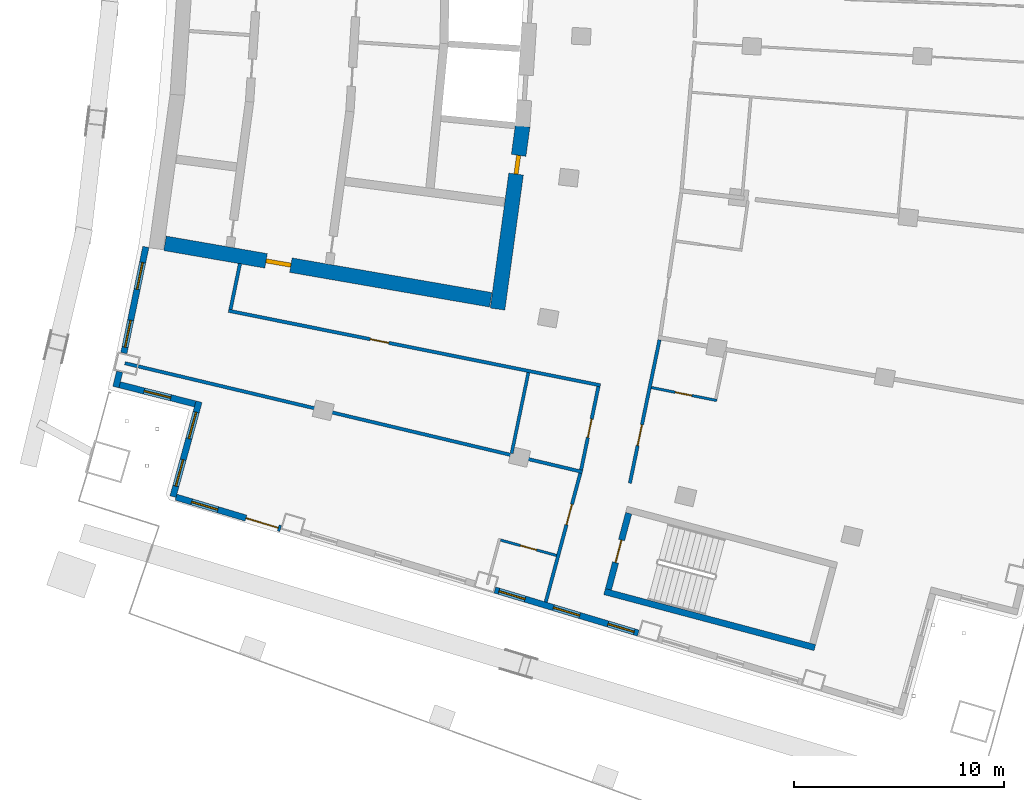
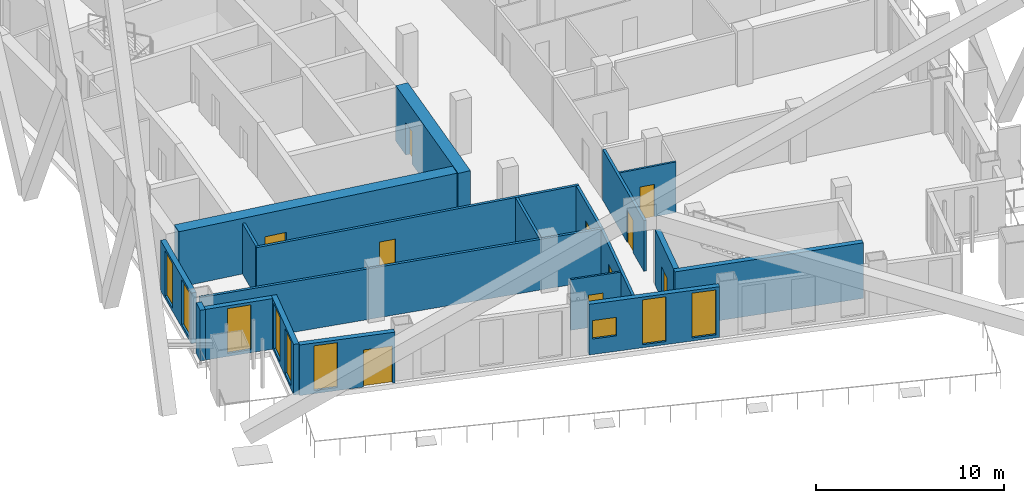
# One storey, part 10 of 20: 19 walls, 10 doors, 9 windows, 19 openings.
"""IFC4 building model written with IfcOpenShell, lengths in metres."""

from ifc_helpers import new_model, si_unit, direction, frame, frame_2d, origin, place, context, subcontext, project, spatial, rectangle, extrude, material, layer, layer_set, type_object, element, fill, save


model = new_model("IFC4")

# Units and contexts
model_context = context("Model", 3, precision=1e-05, world=origin(), true_north=direction((0.0, 1.0)))
body_context = subcontext(model_context, "Body", "Model", "MODEL_VIEW")
ifc_project = project(units=[si_unit("LENGTHUNIT", "METRE"), si_unit("AREAUNIT", "SQUARE_METRE"), si_unit("VOLUMEUNIT", "CUBIC_METRE"), si_unit("PLANEANGLEUNIT", "RADIAN"), si_unit("MASSUNIT", "GRAM", prefix="KILO")], contexts=[model_context])

# Site, building, storey
site_placement = place(None, origin())
site = spatial("IfcSite", under=ifc_project, at=site_placement, CompositionType="ELEMENT")
building_placement = place(site_placement, origin())
building = spatial("IfcBuilding", under=site, at=building_placement, Name="Alderwake Tower", CompositionType="ELEMENT")
storey_placement = place(building_placement, frame((0.0, 0.0, 138.800048828125)))
storey = spatial("IfcBuildingStorey", under=building, at=storey_placement, Name="L33", CompositionType="ELEMENT", Elevation=138.800048828125)

# Wall, opening, door
ifc_material_1 = material(Name="Concrete C70/85", Category="concrete")
ifc_layer_1 = layer(ifc_material_1, 0.699951171875)
ifc_layer_set_1 = layer_set([ifc_layer_1], Name="Core wall outer 700 C70-85")
wall_type_1 = type_object("IfcWallType", Name="Core wall outer 700 C70-85", PredefinedType="SHEAR", material=ifc_layer_set_1)
wall_1_placement = place(storey_placement, frame((32.81298828125, 49.97412109375, 0.0), z_axis=(0.0, 0.0, 1.0), x_axis=(-0.135835706655, -0.99073137671, 0.0)))
wall_1 = element("IfcWall", 1, at=wall_1_placement, inside=storey, type_object=wall_type_1, Name="Core wall CW.012", PredefinedType="SHEAR", context=body_context, shape_type="SweptSolid", body=[
    extrude(rectangle(XDim=8.790771484375, YDim=0.699951171875, at=frame_2d((4.3955078125, 0.0))), origin(), (0.0, 0.0, 1.0), 3.599853515625),
])
opening_1_placement = place(wall_1_placement, frame((1.40478515625, 0.0, 0.0)))
opening_1 = element("IfcOpeningElement", 2, at=opening_1_placement, cuts=wall_1, Name="Opening C050", PredefinedType="OPENING", context=body_context, shape_type="SweptSolid", body=[
    extrude(rectangle(XDim=0.89990234375, YDim=2.10009765625, at=frame_2d((0.449951171875, 1.050048828125))), frame((0.0, 0.35986328125, 0.0), z_axis=(0.0, -1.0, 0.0), x_axis=(1.0, 0.0, 0.0)), (0.0, 0.0, 1.0), 0.719970703125),
])
ifc_material_2 = material(Name="Painted steel leaf", Category="steel")
door_type_1 = type_object("IfcDoorType", Name="Core room door 900", OperationType="SINGLE_SWING_LEFT", PredefinedType="DOOR", material=ifc_material_2)
door_1_placement = place(opening_1_placement, origin())
door_1 = element("IfcDoor", 3, at=door_1_placement, inside=storey, type_object=door_type_1, Name="Room door", OperationType="SINGLE_SWING_RIGHT", OverallHeight=2.10009765625, OverallWidth=0.89990234375, PredefinedType="DOOR", context=body_context, shape_type="SweptSolid", body=[
    extrude(rectangle(XDim=0.89990234375, YDim=2.10009765625, at=frame_2d((0.449951171875, 1.050048828125))), frame((0.0, 0.10009765625, 0.0), z_axis=(0.0, -1.0, 0.0), x_axis=(1.0, 0.0, 0.0)), (0.0, 0.0, 1.0), 0.199951171875),
])
fill(opening_1, door_1)

wall_2_placement = place(storey_placement, frame((31.295654296875, 41.705810546875, 0.0), z_axis=(0.0, 0.0, 1.0), x_axis=(-0.985302589944, 0.170818050129, 0.0)))
wall_2 = element("IfcWall", 4, at=wall_2_placement, inside=storey, type_object=wall_type_1, Name="Core wall CW.072", PredefinedType="SHEAR", context=body_context, shape_type="SweptSolid", body=[
    extrude(rectangle(XDim=15.7373046875, YDim=0.699951171875, at=frame_2d((7.86865234375, 0.0))), origin(), (0.0, 0.0, 1.0), 3.599853515625),
])
opening_2_placement = place(wall_2_placement, frame((9.65576171875, 0.0, 0.0)))
opening_2 = element("IfcOpeningElement", 5, at=opening_2_placement, cuts=wall_2, Name="Opening C003", PredefinedType="OPENING", context=body_context, shape_type="SweptSolid", body=[
    extrude(rectangle(XDim=1.199951171875, YDim=2.10009765625, at=frame_2d((0.60009765625, 1.050048828125))), frame((0.0, 0.35986328125, 0.0), z_axis=(0.0, -1.0, 0.0), x_axis=(1.0, 0.0, 0.0)), (0.0, 0.0, 1.0), 0.719970703125),
])
ifc_material_3 = material(Name="Steel-framed fire door leaf", Category="steel")
door_type_2 = type_object("IfcDoorType", Name="Core lobby exit door 1200 fire-rated", OperationType="SINGLE_SWING_LEFT", PredefinedType="DOOR", material=ifc_material_3)
door_2_placement = place(opening_2_placement, origin())
door_2 = element("IfcDoor", 6, at=door_2_placement, inside=storey, type_object=door_type_2, Name="Lobby door", OperationType="SINGLE_SWING_LEFT", OverallHeight=2.10009765625, OverallWidth=1.199951171875, PredefinedType="DOOR", context=body_context, shape_type="SweptSolid", body=[
    extrude(rectangle(XDim=1.199951171875, YDim=2.10009765625, at=frame_2d((0.60009765625, 1.050048828125))), frame((0.0, 0.10009765625, 0.0), z_axis=(0.0, -1.0, 0.0), x_axis=(1.0, 0.0, 0.0)), (0.0, 0.0, 1.0), 0.199951171875),
])
fill(opening_2, door_2)

# Wall
ifc_material_4 = material(Name="Concrete C70/85", Category="concrete")
ifc_layer_2 = layer(ifc_material_4, 0.300048828125)
ifc_layer_set_2 = layer_set([ifc_layer_2], Name="Core wall stair enclosure 300 C70-85")
wall_type_2 = type_object("IfcWallType", Name="Core wall stair enclosure 300 C70-85", PredefinedType="SHEAR", material=ifc_layer_set_2)
wall_3_placement = place(storey_placement, frame((36.71142578125, 27.817626953125, 0.0), z_axis=(0.0, 0.0, 1.0), x_axis=(0.966309214305, -0.257383958996, 0.0)))
element("IfcWall", 7, at=wall_3_placement, inside=storey, type_object=wall_type_2, Name="Core wall CW.088", PredefinedType="SHEAR", context=body_context, shape_type="SweptSolid", body=[
    extrude(rectangle(XDim=10.360107421875, YDim=0.300048828125, at=frame_2d((5.18017578125, 0.0))), origin(), (0.0, 0.0, 1.0), 3.599853515625),
])

# Wall, opening, door
wall_4_placement = place(storey_placement, frame((36.89501953125, 27.923828125, 0.0), z_axis=(0.0, 0.0, 1.0), x_axis=(0.257350630826, 0.966318090907, 0.0)))
wall_4 = element("IfcWall", 8, at=wall_4_placement, inside=storey, type_object=wall_type_2, Name="Core wall CW.087", PredefinedType="SHEAR", context=body_context, shape_type="SweptSolid", body=[
    extrude(rectangle(XDim=3.75, YDim=0.300048828125, at=frame_2d((1.875, 0.0))), origin(), (0.0, 0.0, 1.0), 3.599853515625),
])
opening_3_placement = place(wall_4_placement, frame((1.324951171875, 0.0, 0.0)))
opening_3 = element("IfcOpeningElement", 9, at=opening_3_placement, cuts=wall_4, Name="Opening C065", PredefinedType="OPENING", context=body_context, shape_type="SweptSolid", body=[
    extrude(rectangle(XDim=1.10009765625, YDim=2.10009765625, at=frame_2d((0.550048828125, 1.050048828125))), frame((0.0, 0.159912109375, 0.0), z_axis=(0.0, -1.0, 0.0), x_axis=(1.0, 0.0, 0.0)), (0.0, 0.0, 1.0), 0.320068359375),
])
ifc_material_5 = material(Name="Steel-framed fire door leaf", Category="steel")
door_type_3 = type_object("IfcDoorType", Name="Core stair door 1100 fire-rated", OperationType="SINGLE_SWING_LEFT", PredefinedType="DOOR", material=ifc_material_5)
door_3_placement = place(opening_3_placement, origin())
door_3 = element("IfcDoor", 10, at=door_3_placement, inside=storey, type_object=door_type_3, Name="Stair door", OperationType="SINGLE_SWING_LEFT", OverallHeight=2.10009765625, OverallWidth=1.10009765625, PredefinedType="DOOR", context=body_context, shape_type="SweptSolid", body=[
    extrude(rectangle(XDim=1.10009765625, YDim=2.10009765625, at=frame_2d((0.550048828125, 1.050048828125))), frame((0.0, 0.02490234375, 0.0), z_axis=(0.0, -1.0, 0.0), x_axis=(1.0, 0.0, 0.0)), (0.0, 0.0, 1.0), 0.050048828125),
])
fill(opening_3, door_3)

# Wall
ifc_material_6 = material(Name="Gypsum board on metal studs, rated")
ifc_layer_3 = layer(ifc_material_6, 0.159912109375)
ifc_layer_set_3 = layer_set([ifc_layer_3], Name="Corridor wall 160")
wall_type_3 = type_object("IfcWallType", Name="Corridor wall 160", PredefinedType="PARTITIONING", material=ifc_layer_set_3)
wall_5_placement = place(storey_placement, frame((13.884033203125, 38.68798828125, 0.0), z_axis=(0.0, 0.0, 1.0), x_axis=(0.972893462073, -0.231253781493, 0.0)))
element("IfcWall", 11, at=wall_5_placement, inside=storey, type_object=wall_type_3, Name="WL/L33/W11", PredefinedType="PARTITIONING", context=body_context, shape_type="SweptSolid", body=[
    extrude(rectangle(XDim=22.38037109375, YDim=0.159912109375, at=frame_2d((11.190185546875, 0.0))), origin(), (0.0, 0.0, 1.0), 3.280029296875),
])

# Wall, opening, door
wall_6_placement = place(storey_placement, frame((36.513427734375, 37.63427734375, 0.0), z_axis=(0.0, 0.0, 1.0), x_axis=(-0.980470254867, 0.1966674333, 0.0)))
wall_6 = element("IfcWall", 12, at=wall_6_placement, inside=storey, type_object=wall_type_3, Name="WL/L33/W12", PredefinedType="PARTITIONING", context=body_context, shape_type="SweptSolid", body=[
    extrude(rectangle(XDim=18.053466796875, YDim=0.159912109375, at=frame_2d((9.02685546875, 0.0))), origin(), (0.0, 0.0, 1.0), 3.280029296875),
])
opening_4_placement = place(wall_6_placement, frame((10.277099609375, 0.0, 0.0)))
opening_4 = element("IfcOpeningElement", 13, at=opening_4_placement, cuts=wall_6, Name="Opening R09-SBS1", PredefinedType="OPENING", context=body_context, shape_type="SweptSolid", body=[
    extrude(rectangle(XDim=0.89990234375, YDim=2.10009765625, at=frame_2d((0.449951171875, 1.050048828125))), frame((0.0, 0.08984375, 0.0), z_axis=(0.0, -1.0, 0.0), x_axis=(1.0, 0.0, 0.0)), (0.0, 0.0, 1.0), 0.179931640625),
])
ifc_material_7 = material(Name="Painted timber leaf", Category="wood")
door_type_4 = type_object("IfcDoorType", Name="Room door 900", OperationType="SINGLE_SWING_LEFT", PredefinedType="DOOR", material=ifc_material_7)
door_4_placement = place(opening_4_placement, origin())
door_4 = element("IfcDoor", 14, at=door_4_placement, inside=storey, type_object=door_type_4, Name="DR/L33/SBS1", OperationType="SINGLE_SWING_LEFT", OverallHeight=2.10009765625, OverallWidth=0.89990234375, PredefinedType="DOOR", context=body_context, shape_type="SweptSolid", body=[
    extrude(rectangle(XDim=0.89990234375, YDim=2.10009765625, at=frame_2d((0.449951171875, 1.050048828125))), frame((0.0, 0.02490234375, 0.0), z_axis=(0.0, -1.0, 0.0), x_axis=(1.0, 0.0, 0.0)), (0.0, 0.0, 1.0), 0.050048828125),
])
fill(opening_4, door_4)

# Wall
wall_7_placement = place(storey_placement, frame((19.35888671875, 43.430908203125, 0.0), z_axis=(0.0, 0.0, 1.0), x_axis=(-0.202554916658, -0.979270905183, 0.0)))
element("IfcWall", 15, at=wall_7_placement, inside=storey, type_object=wall_type_3, Name="WL/L33/W13", PredefinedType="PARTITIONING", context=body_context, shape_type="SweptSolid", body=[
    extrude(rectangle(XDim=2.229736328125, YDim=0.159912109375, at=frame_2d((1.11474609375, 0.0))), origin(), (0.0, 0.0, 1.0), 3.280029296875),
])

# Wall, opening, door
wall_8_placement = place(storey_placement, frame((33.912109375, 27.321044921875, 0.0), z_axis=(0.0, 0.0, 1.0), x_axis=(0.259370874835, 0.965777794986, 0.0)))
wall_8 = element("IfcWall", 16, at=wall_8_placement, inside=storey, type_object=wall_type_3, Name="WL/L33/W16", PredefinedType="PARTITIONING", context=body_context, shape_type="SweptSolid", body=[
    extrude(rectangle(XDim=6.349853515625, YDim=0.159912109375, at=frame_2d((3.1748046875, 0.0))), origin(), (0.0, 0.0, 1.0), 3.280029296875),
])
opening_5_placement = place(wall_8_placement, frame((3.811279296875, 0.0, 0.0)))
opening_5 = element("IfcOpeningElement", 17, at=opening_5_placement, cuts=wall_8, Name="Opening R09-U08.1", PredefinedType="OPENING", context=body_context, shape_type="SweptSolid", body=[
    extrude(rectangle(XDim=1.0, YDim=2.10009765625, at=frame_2d((0.5, 1.050048828125))), frame((0.0, 0.08984375, 0.0), z_axis=(0.0, -1.0, 0.0), x_axis=(1.0, 0.0, 0.0)), (0.0, 0.0, 1.0), 0.179931640625),
])
ifc_material_8 = material(Name="Solid timber leaf in steel frame", Category="steel")
door_type_5 = type_object("IfcDoorType", Name="Flat entrance door 1000 fire-rated", OperationType="SINGLE_SWING_LEFT", PredefinedType="DOOR", material=ifc_material_8)
door_5_placement = place(opening_5_placement, origin())
door_5 = element("IfcDoor", 18, at=door_5_placement, inside=storey, type_object=door_type_5, Name="DR/L33/U08.1", OperationType="SINGLE_SWING_LEFT", OverallHeight=2.10009765625, OverallWidth=1.0, PredefinedType="DOOR", context=body_context, shape_type="SweptSolid", body=[
    extrude(rectangle(XDim=1.0, YDim=2.10009765625, at=frame_2d((0.5, 1.050048828125))), frame((0.0, 0.02490234375, 0.0), z_axis=(0.0, -1.0, 0.0), x_axis=(1.0, 0.0, 0.0)), (0.0, 0.0, 1.0), 0.050048828125),
])
fill(opening_5, door_5)

wall_9_placement = place(storey_placement, frame((35.59619140625, 33.609375, 0.0), z_axis=(0.0, 0.0, 1.0), x_axis=(0.203245920818, 0.979127721838, 0.0)))
wall_9 = element("IfcWall", 19, at=wall_9_placement, inside=storey, type_object=wall_type_3, Name="WL/L33/W19", PredefinedType="PARTITIONING", context=body_context, shape_type="SweptSolid", body=[
    extrude(rectangle(XDim=4.046875, YDim=0.159912109375, at=frame_2d((2.0234375, 0.0))), origin(), (0.0, 0.0, 1.0), 3.280029296875),
])
opening_6_placement = place(wall_9_placement, frame((1.573486328125, 0.0, 0.0)))
opening_6 = element("IfcOpeningElement", 20, at=opening_6_placement, cuts=wall_9, Name="Opening R09-SBS2", PredefinedType="OPENING", context=body_context, shape_type="SweptSolid", body=[
    extrude(rectangle(XDim=0.89990234375, YDim=2.10009765625, at=frame_2d((0.449951171875, 1.050048828125))), frame((0.0, 0.08984375, 0.0), z_axis=(0.0, -1.0, 0.0), x_axis=(1.0, 0.0, 0.0)), (0.0, 0.0, 1.0), 0.179931640625),
])
door_6_placement = place(opening_6_placement, origin())
door_6 = element("IfcDoor", 21, at=door_6_placement, inside=storey, type_object=door_type_4, Name="DR/L33/SBS2", OperationType="SINGLE_SWING_LEFT", OverallHeight=2.10009765625, OverallWidth=0.89990234375, PredefinedType="DOOR", context=body_context, shape_type="SweptSolid", body=[
    extrude(rectangle(XDim=0.89990234375, YDim=2.10009765625, at=frame_2d((0.449951171875, 1.050048828125))), frame((0.0, 0.02490234375, 0.0), z_axis=(0.0, -1.0, 0.0), x_axis=(1.0, 0.0, 0.0)), (0.0, 0.0, 1.0), 0.050048828125),
])
fill(opening_6, door_6)

wall_10_placement = place(storey_placement, frame((39.32763671875, 39.799072265625, 0.0), z_axis=(0.0, 0.0, 1.0), x_axis=(-0.202466556983, -0.979289177569, 0.0)))
wall_10 = element("IfcWall", 22, at=wall_10_placement, inside=storey, type_object=wall_type_3, Name="WL/L33/W21", PredefinedType="PARTITIONING", context=body_context, shape_type="SweptSolid", body=[
    extrude(rectangle(XDim=6.96728515625, YDim=0.159912109375, at=frame_2d((3.483642578125, 0.0))), origin(), (0.0, 0.0, 1.0), 3.280029296875),
])
opening_7_placement = place(wall_10_placement, frame((4.134765625, 0.0, 0.0)))
opening_7 = element("IfcOpeningElement", 23, at=opening_7_placement, cuts=wall_10, Name="Opening R09-U03.1", PredefinedType="OPENING", context=body_context, shape_type="SweptSolid", body=[
    extrude(rectangle(XDim=1.0, YDim=2.10009765625, at=frame_2d((0.5, 1.050048828125))), frame((0.0, 0.08984375, 0.0), z_axis=(0.0, -1.0, 0.0), x_axis=(1.0, 0.0, 0.0)), (0.0, 0.0, 1.0), 0.179931640625),
])
door_7_placement = place(opening_7_placement, origin())
door_7 = element("IfcDoor", 24, at=door_7_placement, inside=storey, type_object=door_type_5, Name="DR/L33/U03.1", OperationType="SINGLE_SWING_LEFT", OverallHeight=2.10009765625, OverallWidth=1.0, PredefinedType="DOOR", context=body_context, shape_type="SweptSolid", body=[
    extrude(rectangle(XDim=1.0, YDim=2.10009765625, at=frame_2d((0.5, 1.050048828125))), frame((0.0, 0.02490234375, 0.0), z_axis=(0.0, -1.0, 0.0), x_axis=(1.0, 0.0, 0.0)), (0.0, 0.0, 1.0), 0.050048828125),
])
fill(opening_7, door_7)

# Wall
ifc_material_9 = material(Name="Precast concrete C50/60 spandrel panel", Category="concrete")
ifc_layer_4 = layer(ifc_material_9, 0.300048828125)
ifc_layer_set_4 = layer_set([ifc_layer_4], Name="External wall EW1 Precast concrete C50/60 spandrel")
wall_type_4 = type_object("IfcWallType", Name="External wall EW1 Precast concrete C50/60 spandrel", PredefinedType="SOLIDWALL", material=ifc_layer_set_4)
wall_11_placement = place(storey_placement, frame((13.63134765625, 38.28271484375, 0.0), z_axis=(0.0, 0.0, 1.0), x_axis=(-0.238336947214, -0.971182526404, 0.0)))
element("IfcWall", 25, at=wall_11_placement, inside=storey, type_object=wall_type_4, Name="External wall 1", PredefinedType="SOLIDWALL", context=body_context, shape_type="SweptSolid", body=[
    extrude(rectangle(XDim=0.7529296875, YDim=0.300048828125, at=frame_2d((0.37646484375, 0.0))), origin(), (0.0, 0.0, 1.0), 3.280029296875),
])

# Wall, openings, windows
wall_12_placement = place(storey_placement, frame((14.878173828125, 44.223388671875, 0.0), z_axis=(0.0, 0.0, 1.0), x_axis=(-0.202754243564, -0.979229654737, 0.0)))
wall_12 = element("IfcWall", 26, at=wall_12_placement, inside=storey, type_object=wall_type_4, Name="External wall 32", PredefinedType="SOLIDWALL", context=body_context, shape_type="SweptSolid", body=[
    extrude(rectangle(XDim=5.15966796875, YDim=0.300048828125, at=frame_2d((2.579833984375, 0.0))), origin(), (0.0, 0.0, 1.0), 3.280029296875),
])
opening_8_placement = place(wall_12_placement, frame((0.75634765625, 0.0, 0.199951171875)))
opening_8 = element("IfcOpeningElement", 27, at=opening_8_placement, cuts=wall_12, Name="Opening W1", PredefinedType="OPENING", context=body_context, shape_type="SweptSolid", body=[
    extrude(rectangle(XDim=1.300048828125, YDim=2.89990234375, at=frame_2d((0.64990234375, 1.449951171875))), frame((0.0, 0.159912109375, 0.0), z_axis=(0.0, -1.0, 0.0), x_axis=(1.0, 0.0, 0.0)), (0.0, 0.0, 1.0), 0.320068359375),
])
opening_9_placement = place(wall_12_placement, frame((3.569091796875, 0.0, 0.199951171875)))
opening_9 = element("IfcOpeningElement", 28, at=opening_9_placement, cuts=wall_12, Name="Opening W1", PredefinedType="OPENING", context=body_context, shape_type="SweptSolid", body=[
    extrude(rectangle(XDim=1.300048828125, YDim=2.89990234375, at=frame_2d((0.64990234375, 1.449951171875))), frame((0.0, 0.159912109375, 0.0), z_axis=(0.0, -1.0, 0.0), x_axis=(1.0, 0.0, 0.0)), (0.0, 0.0, 1.0), 0.320068359375),
])
ifc_material_10 = material(Name="Bronze tinted glass in aluminium frame", Category="aluminium")
window_type_1 = type_object("IfcWindowType", Name="Window W1 tall fixed and vent", PartitioningType="DOUBLE_PANEL_VERTICAL", PredefinedType="WINDOW", material=ifc_material_10)
window_1_placement = place(opening_8_placement, origin())
window_1 = element("IfcWindow", 29, at=window_1_placement, inside=storey, type_object=window_type_1, Name="Window W1 tall fixed and vent", OverallHeight=2.89990234375, OverallWidth=1.300048828125, PartitioningType="DOUBLE_PANEL_VERTICAL", PredefinedType="WINDOW", context=body_context, shape_type="SweptSolid", body=[
    extrude(rectangle(XDim=1.300048828125, YDim=2.89990234375, at=frame_2d((0.64990234375, 1.449951171875))), frame((0.0, 0.030029296875, 0.0), z_axis=(0.0, -1.0, 0.0), x_axis=(1.0, 0.0, 0.0)), (0.0, 0.0, 1.0), 0.06005859375),
])
fill(opening_8, window_1)
window_2_placement = place(opening_9_placement, origin())
window_2 = element("IfcWindow", 30, at=window_2_placement, inside=storey, type_object=window_type_1, Name="Window W1 tall fixed and vent", OverallHeight=2.89990234375, OverallWidth=1.300048828125, PartitioningType="DOUBLE_PANEL_VERTICAL", PredefinedType="WINDOW", context=body_context, shape_type="SweptSolid", body=[
    extrude(rectangle(XDim=1.300048828125, YDim=2.89990234375, at=frame_2d((0.64990234375, 1.449951171875))), frame((0.0, 0.030029296875, 0.0), z_axis=(0.0, -1.0, 0.0), x_axis=(1.0, 0.0, 0.0)), (0.0, 0.0, 1.0), 0.06005859375),
])
fill(opening_9, window_2)

# Wall, opening, window
ifc_material_11 = material(Name="Bronze metal cladding on lightweight framing")
ifc_layer_5 = layer(ifc_material_11, 0.300048828125)
ifc_layer_set_5 = layer_set([ifc_layer_5], Name="External wall EW2 bronze metal cladding")
wall_type_5 = type_object("IfcWallType", Name="External wall EW2 bronze metal cladding", PredefinedType="SOLIDWALL", material=ifc_layer_set_5)
wall_13_placement = place(storey_placement, frame((13.633056640625, 37.660400390625, 0.0), z_axis=(0.0, 0.0, 1.0), x_axis=(0.969417366605, -0.245417948254, 0.0)))
wall_13 = element("IfcWall", 31, at=wall_13_placement, inside=storey, type_object=wall_type_5, Name="External wall 2", PredefinedType="SOLIDWALL", context=body_context, shape_type="SweptSolid", body=[
    extrude(rectangle(XDim=3.70556640625, YDim=0.300048828125, at=frame_2d((1.852783203125, 0.0))), origin(), (0.0, 0.0, 1.0), 3.280029296875),
])
opening_10_placement = place(wall_13_placement, frame((1.202880859375, 0.0, 0.199951171875)))
opening_10 = element("IfcOpeningElement", 32, at=opening_10_placement, cuts=wall_13, Name="Opening W1", PredefinedType="OPENING", context=body_context, shape_type="SweptSolid", body=[
    extrude(rectangle(XDim=1.300048828125, YDim=2.89990234375, at=frame_2d((0.64990234375, 1.449951171875))), frame((0.0, 0.159912109375, 0.0), z_axis=(0.0, -1.0, 0.0), x_axis=(1.0, 0.0, 0.0)), (0.0, 0.0, 1.0), 0.320068359375),
])
window_3_placement = place(opening_10_placement, origin())
window_3 = element("IfcWindow", 33, at=window_3_placement, inside=storey, type_object=window_type_1, Name="Window W1 tall fixed and vent", OverallHeight=2.89990234375, OverallWidth=1.300048828125, PartitioningType="DOUBLE_PANEL_VERTICAL", PredefinedType="WINDOW", context=body_context, shape_type="SweptSolid", body=[
    extrude(rectangle(XDim=1.300048828125, YDim=2.89990234375, at=frame_2d((0.64990234375, 1.449951171875))), frame((0.0, 0.030029296875, 0.0), z_axis=(0.0, -1.0, 0.0), x_axis=(1.0, 0.0, 0.0)), (0.0, 0.0, 1.0), 0.06005859375),
])
fill(opening_10, window_3)

# Wall, openings, windows
wall_14_placement = place(storey_placement, frame((17.410400390625, 36.85888671875, 0.0), z_axis=(0.0, 0.0, 1.0), x_axis=(-0.264592640785, -0.96436027212, 0.0)))
wall_14 = element("IfcWall", 34, at=wall_14_placement, inside=storey, type_object=wall_type_5, Name="External wall 3", PredefinedType="SOLIDWALL", context=body_context, shape_type="SweptSolid", body=[
    extrude(rectangle(XDim=4.690185546875, YDim=0.300048828125, at=frame_2d((2.34521484375, 0.0))), origin(), (0.0, 0.0, 1.0), 3.280029296875),
])
opening_11_placement = place(wall_14_placement, frame((0.5224609375, 0.0, 0.199951171875)))
opening_11 = element("IfcOpeningElement", 35, at=opening_11_placement, cuts=wall_14, Name="Opening W1", PredefinedType="OPENING", context=body_context, shape_type="SweptSolid", body=[
    extrude(rectangle(XDim=1.300048828125, YDim=2.89990234375, at=frame_2d((0.64990234375, 1.449951171875))), frame((0.0, 0.159912109375, 0.0), z_axis=(0.0, -1.0, 0.0), x_axis=(1.0, 0.0, 0.0)), (0.0, 0.0, 1.0), 0.320068359375),
])
opening_12_placement = place(wall_14_placement, frame((2.867431640625, 0.0, 0.199951171875)))
opening_12 = element("IfcOpeningElement", 36, at=opening_12_placement, cuts=wall_14, Name="Opening W1", PredefinedType="OPENING", context=body_context, shape_type="SweptSolid", body=[
    extrude(rectangle(XDim=1.300048828125, YDim=2.89990234375, at=frame_2d((0.64990234375, 1.449951171875))), frame((0.0, 0.159912109375, 0.0), z_axis=(0.0, -1.0, 0.0), x_axis=(1.0, 0.0, 0.0)), (0.0, 0.0, 1.0), 0.320068359375),
])
window_4_placement = place(opening_11_placement, origin())
window_4 = element("IfcWindow", 37, at=window_4_placement, inside=storey, type_object=window_type_1, Name="Window W1 tall fixed and vent", OverallHeight=2.89990234375, OverallWidth=1.300048828125, PartitioningType="DOUBLE_PANEL_VERTICAL", PredefinedType="WINDOW", context=body_context, shape_type="SweptSolid", body=[
    extrude(rectangle(XDim=1.300048828125, YDim=2.89990234375, at=frame_2d((0.64990234375, 1.449951171875))), frame((0.0, 0.030029296875, 0.0), z_axis=(0.0, -1.0, 0.0), x_axis=(1.0, 0.0, 0.0)), (0.0, 0.0, 1.0), 0.06005859375),
])
fill(opening_11, window_4)
window_5_placement = place(opening_12_placement, origin())
window_5 = element("IfcWindow", 38, at=window_5_placement, inside=storey, type_object=window_type_1, Name="Window W1 tall fixed and vent", OverallHeight=2.89990234375, OverallWidth=1.300048828125, PartitioningType="DOUBLE_PANEL_VERTICAL", PredefinedType="WINDOW", context=body_context, shape_type="SweptSolid", body=[
    extrude(rectangle(XDim=1.300048828125, YDim=2.89990234375, at=frame_2d((0.64990234375, 1.449951171875))), frame((0.0, 0.030029296875, 0.0), z_axis=(0.0, -1.0, 0.0), x_axis=(1.0, 0.0, 0.0)), (0.0, 0.0, 1.0), 0.06005859375),
])
fill(opening_12, window_5)

# Wall, openings, door, window
wall_15_placement = place(storey_placement, frame((16.3154296875, 32.31298828125, 0.0), z_axis=(0.0, 0.0, 1.0), x_axis=(0.95776681843, -0.287546033732, 0.0)))
wall_15 = element("IfcWall", 39, at=wall_15_placement, inside=storey, type_object=wall_type_5, Name="External wall 4", PredefinedType="SOLIDWALL", context=body_context, shape_type="SweptSolid", body=[
    extrude(rectangle(XDim=5.199462890625, YDim=0.300048828125, at=frame_2d((2.599609375, 0.0))), origin(), (0.0, 0.0, 1.0), 3.280029296875),
])
opening_13_placement = place(wall_15_placement, frame((0.775390625, 0.0, 0.199951171875)))
opening_13 = element("IfcOpeningElement", 40, at=opening_13_placement, cuts=wall_15, Name="Opening W1", PredefinedType="OPENING", context=body_context, shape_type="SweptSolid", body=[
    extrude(rectangle(XDim=1.300048828125, YDim=2.89990234375, at=frame_2d((0.64990234375, 1.449951171875))), frame((0.0, 0.159912109375, 0.0), z_axis=(0.0, -1.0, 0.0), x_axis=(1.0, 0.0, 0.0)), (0.0, 0.0, 1.0), 0.320068359375),
])
opening_14_placement = place(wall_15_placement, frame((3.476318359375, 0.0, 0.0)))
opening_14 = element("IfcOpeningElement", 41, at=opening_14_placement, cuts=wall_15, Name="Opening D01", PredefinedType="OPENING", context=body_context, shape_type="SweptSolid", body=[
    extrude(rectangle(XDim=1.60009765625, YDim=2.39990234375, at=frame_2d((0.800048828125, 1.199951171875))), frame((0.0, 0.159912109375, 0.0), z_axis=(0.0, -1.0, 0.0), x_axis=(1.0, 0.0, 0.0)), (0.0, 0.0, 1.0), 0.320068359375),
])
ifc_material_12 = material(Name="Bronze tinted glass in aluminium frame", Category="aluminium")
door_type_6 = type_object("IfcDoorType", Name="Terrace door TD sliding", OperationType="SLIDING_TO_LEFT", PredefinedType="DOOR", material=ifc_material_12)
door_8_placement = place(opening_14_placement, origin())
door_8 = element("IfcDoor", 42, at=door_8_placement, inside=storey, type_object=door_type_6, Name="Door D01", OperationType="SLIDING_TO_LEFT", OverallHeight=2.39990234375, OverallWidth=1.60009765625, PredefinedType="DOOR", context=body_context, shape_type="SweptSolid", body=[
    extrude(rectangle(XDim=1.60009765625, YDim=2.39990234375, at=frame_2d((0.800048828125, 1.199951171875))), frame((0.0, 0.02490234375, 0.0), z_axis=(0.0, -1.0, 0.0), x_axis=(1.0, 0.0, 0.0)), (0.0, 0.0, 1.0), 0.050048828125),
])
fill(opening_14, door_8)
window_6_placement = place(opening_13_placement, origin())
window_6 = element("IfcWindow", 43, at=window_6_placement, inside=storey, type_object=window_type_1, Name="Window W1 tall fixed and vent", OverallHeight=2.89990234375, OverallWidth=1.300048828125, PartitioningType="DOUBLE_PANEL_VERTICAL", PredefinedType="WINDOW", context=body_context, shape_type="SweptSolid", body=[
    extrude(rectangle(XDim=1.300048828125, YDim=2.89990234375, at=frame_2d((0.64990234375, 1.449951171875))), frame((0.0, 0.030029296875, 0.0), z_axis=(0.0, -1.0, 0.0), x_axis=(1.0, 0.0, 0.0)), (0.0, 0.0, 1.0), 0.06005859375),
])
fill(opening_13, window_6)

# Wall, openings, windows
wall_16_placement = place(storey_placement, frame((31.4892578125, 27.89306640625, 0.0), z_axis=(0.0, 0.0, 1.0), x_axis=(0.957766887781, -0.287545802735, 0.0)))
wall_16 = element("IfcWall", 44, at=wall_16_placement, inside=storey, type_object=wall_type_5, Name="External wall 6", PredefinedType="SOLIDWALL", context=body_context, shape_type="SweptSolid", body=[
    extrude(rectangle(XDim=7.12939453125, YDim=0.300048828125, at=frame_2d((3.564697265625, 0.0))), origin(), (0.0, 0.0, 1.0), 3.280029296875),
])
opening_15_placement = place(wall_16_placement, frame((0.20361328125, 0.0, 1.0)))
opening_15 = element("IfcOpeningElement", 45, at=opening_15_placement, cuts=wall_16, Name="Opening W2", PredefinedType="OPENING", context=body_context, shape_type="SweptSolid", body=[
    extrude(rectangle(XDim=1.300048828125, YDim=1.199951171875, at=frame_2d((0.64990234375, 0.60009765625))), frame((0.0, 0.159912109375, 0.0), z_axis=(0.0, -1.0, 0.0), x_axis=(1.0, 0.0, 0.0)), (0.0, 0.0, 1.0), 0.320068359375),
])
opening_16_placement = place(wall_16_placement, frame((2.91455078125, 0.0, 0.199951171875)))
opening_16 = element("IfcOpeningElement", 46, at=opening_16_placement, cuts=wall_16, Name="Opening W1", PredefinedType="OPENING", context=body_context, shape_type="SweptSolid", body=[
    extrude(rectangle(XDim=1.300048828125, YDim=2.89990234375, at=frame_2d((0.64990234375, 1.449951171875))), frame((0.0, 0.159912109375, 0.0), z_axis=(0.0, -1.0, 0.0), x_axis=(1.0, 0.0, 0.0)), (0.0, 0.0, 1.0), 0.320068359375),
])
opening_17_placement = place(wall_16_placement, frame((5.625732421875, 0.0, 0.199951171875)))
opening_17 = element("IfcOpeningElement", 47, at=opening_17_placement, cuts=wall_16, Name="Opening W1", PredefinedType="OPENING", context=body_context, shape_type="SweptSolid", body=[
    extrude(rectangle(XDim=1.300048828125, YDim=2.89990234375, at=frame_2d((0.64990234375, 1.449951171875))), frame((0.0, 0.159912109375, 0.0), z_axis=(0.0, -1.0, 0.0), x_axis=(1.0, 0.0, 0.0)), (0.0, 0.0, 1.0), 0.320068359375),
])
window_7_placement = place(opening_16_placement, origin())
window_7 = element("IfcWindow", 48, at=window_7_placement, inside=storey, type_object=window_type_1, Name="Window W1 tall fixed and vent", OverallHeight=2.89990234375, OverallWidth=1.300048828125, PartitioningType="DOUBLE_PANEL_VERTICAL", PredefinedType="WINDOW", context=body_context, shape_type="SweptSolid", body=[
    extrude(rectangle(XDim=1.300048828125, YDim=2.89990234375, at=frame_2d((0.64990234375, 1.449951171875))), frame((0.0, 0.030029296875, 0.0), z_axis=(0.0, -1.0, 0.0), x_axis=(1.0, 0.0, 0.0)), (0.0, 0.0, 1.0), 0.06005859375),
])
fill(opening_16, window_7)
window_8_placement = place(opening_17_placement, origin())
window_8 = element("IfcWindow", 49, at=window_8_placement, inside=storey, type_object=window_type_1, Name="Window W1 tall fixed and vent", OverallHeight=2.89990234375, OverallWidth=1.300048828125, PartitioningType="DOUBLE_PANEL_VERTICAL", PredefinedType="WINDOW", context=body_context, shape_type="SweptSolid", body=[
    extrude(rectangle(XDim=1.300048828125, YDim=2.89990234375, at=frame_2d((0.64990234375, 1.449951171875))), frame((0.0, 0.030029296875, 0.0), z_axis=(0.0, -1.0, 0.0), x_axis=(1.0, 0.0, 0.0)), (0.0, 0.0, 1.0), 0.06005859375),
])
fill(opening_17, window_8)
ifc_material_13 = material(Name="Bronze tinted glass in aluminium frame", Category="aluminium")
window_type_2 = type_object("IfcWindowType", Name="Window W2 kitchen and bath", PartitioningType="SINGLE_PANEL", PredefinedType="WINDOW", material=ifc_material_13)
window_9_placement = place(opening_15_placement, origin())
window_9 = element("IfcWindow", 50, at=window_9_placement, inside=storey, type_object=window_type_2, Name="Window W2 kitchen and bath", OverallHeight=1.199951171875, OverallWidth=1.300048828125, PartitioningType="SINGLE_PANEL", PredefinedType="WINDOW", context=body_context, shape_type="SweptSolid", body=[
    extrude(rectangle(XDim=1.300048828125, YDim=1.199951171875, at=frame_2d((0.64990234375, 0.60009765625))), frame((0.0, 0.030029296875, 0.0), z_axis=(0.0, -1.0, 0.0), x_axis=(1.0, 0.0, 0.0)), (0.0, 0.0, 1.0), 0.06005859375),
])
fill(opening_15, window_9)

# Wall
ifc_material_14 = material(Name="Gypsum shaft wall system, rated")
ifc_layer_6 = layer(ifc_material_14, 0.14990234375)
ifc_layer_set_6 = layer_set([ifc_layer_6], Name="Riser and shaft wall 150")
wall_type_6 = type_object("IfcWallType", Name="Riser and shaft wall 150", PredefinedType="PARTITIONING", material=ifc_layer_set_6)
wall_17_placement = place(storey_placement, frame((32.290283203125, 34.3955078125, 0.0), z_axis=(0.0, 0.0, 1.0), x_axis=(0.202568596204, 0.979268075571, 0.0)))
element("IfcWall", 51, at=wall_17_placement, inside=storey, type_object=wall_type_6, Name="WL/L33/W07", PredefinedType="PARTITIONING", context=body_context, shape_type="SweptSolid", body=[
    extrude(rectangle(XDim=3.926513671875, YDim=0.14990234375, at=frame_2d((1.96337890625, 0.0))), origin(), (0.0, 0.0, 1.0), 3.280029296875),
])

# Wall, opening, door
ifc_material_15 = material(Name="Moisture resistant gypsum board on metal studs")
ifc_layer_7 = layer(ifc_material_15, 0.1201171875)
ifc_layer_set_7 = layer_set([ifc_layer_7], Name="Wet room partition 120")
wall_type_7 = type_object("IfcWallType", Name="Wet room partition 120", PredefinedType="PARTITIONING", material=ifc_layer_set_7)
wall_18_placement = place(storey_placement, frame((34.42578125, 29.5380859375, 0.0), z_axis=(0.0, 0.0, 1.0), x_axis=(-0.964278304966, 0.264891205163, 0.0)))
wall_18 = element("IfcWall", 52, at=wall_18_placement, inside=storey, type_object=wall_type_7, Name="WL/L33/W33", PredefinedType="PARTITIONING", context=body_context, shape_type="SweptSolid", body=[
    extrude(rectangle(XDim=2.759521484375, YDim=0.1201171875, at=frame_2d((1.3798828125, 0.0))), origin(), (0.0, 0.0, 1.0), 3.280029296875),
])
opening_18_placement = place(wall_18_placement, frame((0.979736328125, 0.0, 0.0)))
opening_18 = element("IfcOpeningElement", 53, at=opening_18_placement, cuts=wall_18, Name="Opening R09-U08.2", PredefinedType="OPENING", context=body_context, shape_type="SweptSolid", body=[
    extrude(rectangle(XDim=0.800048828125, YDim=2.10009765625, at=frame_2d((0.39990234375, 1.050048828125))), frame((0.0, 0.070068359375, 0.0), z_axis=(0.0, -1.0, 0.0), x_axis=(1.0, 0.0, 0.0)), (0.0, 0.0, 1.0), 0.14013671875),
])
ifc_material_16 = material(Name="Painted timber leaf", Category="wood")
door_type_7 = type_object("IfcDoorType", Name="Bathroom door 800", OperationType="SINGLE_SWING_LEFT", PredefinedType="DOOR", material=ifc_material_16)
door_9_placement = place(opening_18_placement, origin())
door_9 = element("IfcDoor", 54, at=door_9_placement, inside=storey, type_object=door_type_7, Name="DR/L33/U08.2", OperationType="SINGLE_SWING_LEFT", OverallHeight=2.10009765625, OverallWidth=0.800048828125, PredefinedType="DOOR", context=body_context, shape_type="SweptSolid", body=[
    extrude(rectangle(XDim=0.800048828125, YDim=2.10009765625, at=frame_2d((0.39990234375, 1.050048828125))), frame((0.0, 0.02490234375, 0.0), z_axis=(0.0, -1.0, 0.0), x_axis=(1.0, 0.0, 0.0)), (0.0, 0.0, 1.0), 0.050048828125),
])
fill(opening_18, door_9)

wall_19_placement = place(storey_placement, frame((38.9404296875, 37.529541015625, 0.0), z_axis=(0.0, 0.0, 1.0), x_axis=(0.980971571819, -0.194151423593, 0.0)))
wall_19 = element("IfcWall", 55, at=wall_19_placement, inside=storey, type_object=wall_type_7, Name="WL/L33/W34", PredefinedType="PARTITIONING", context=body_context, shape_type="SweptSolid", body=[
    extrude(rectangle(XDim=3.178955078125, YDim=0.1201171875, at=frame_2d((1.58935546875, 0.0))), origin(), (0.0, 0.0, 1.0), 3.280029296875),
])
opening_19_placement = place(wall_19_placement, frame((1.1591796875, 0.0, 0.0)))
opening_19 = element("IfcOpeningElement", 56, at=opening_19_placement, cuts=wall_19, Name="Opening R09-U03.2", PredefinedType="OPENING", context=body_context, shape_type="SweptSolid", body=[
    extrude(rectangle(XDim=0.800048828125, YDim=2.10009765625, at=frame_2d((0.39990234375, 1.050048828125))), frame((0.0, 0.070068359375, 0.0), z_axis=(0.0, -1.0, 0.0), x_axis=(1.0, 0.0, 0.0)), (0.0, 0.0, 1.0), 0.14013671875),
])
door_10_placement = place(opening_19_placement, origin())
door_10 = element("IfcDoor", 57, at=door_10_placement, inside=storey, type_object=door_type_7, Name="DR/L33/U03.2", OperationType="SINGLE_SWING_LEFT", OverallHeight=2.10009765625, OverallWidth=0.800048828125, PredefinedType="DOOR", context=body_context, shape_type="SweptSolid", body=[
    extrude(rectangle(XDim=0.800048828125, YDim=2.10009765625, at=frame_2d((0.39990234375, 1.050048828125))), frame((0.0, 0.02490234375, 0.0), z_axis=(0.0, -1.0, 0.0), x_axis=(1.0, 0.0, 0.0)), (0.0, 0.0, 1.0), 0.050048828125),
])
fill(opening_19, door_10)

save(model, "model.ifc")
